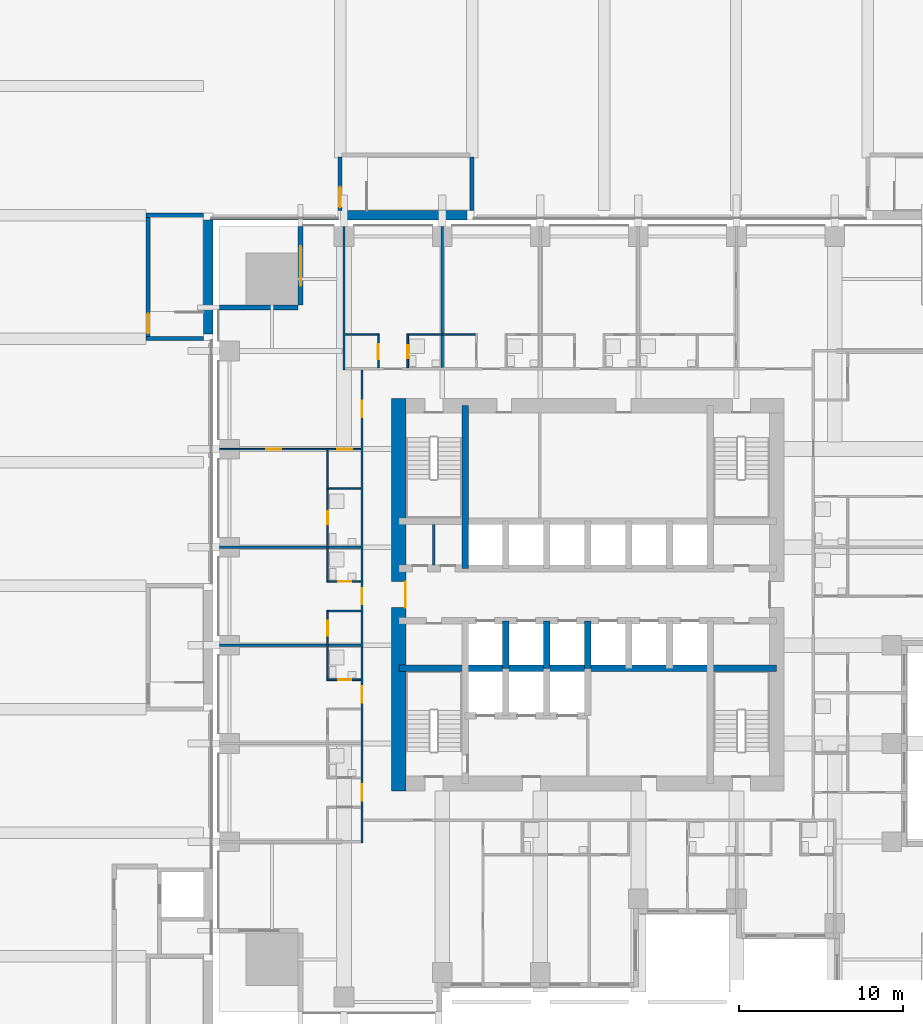
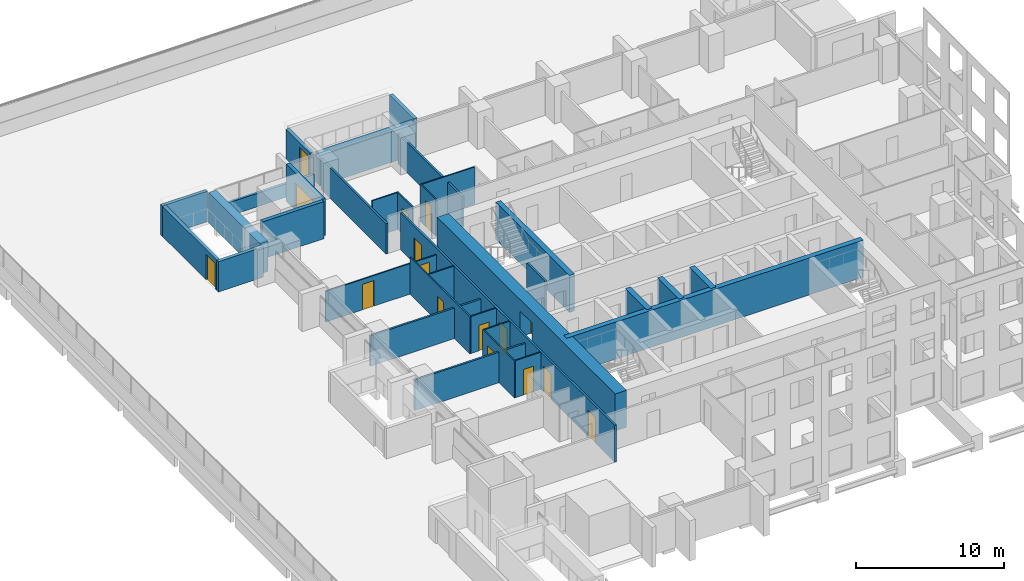
# One storey, part 8 of 15: 33 walls, 15 doors, 1 window, 16 openings.
"""IFC4 building model written with IfcOpenShell, lengths in metres."""

from ifc_helpers import new_model, si_unit, direction, frame, frame_2d, origin, place, context, subcontext, project, spatial, rectangle, extrude, material, layer, layer_set, type_object, element, fill, save


model = new_model("IFC4")

# Units and contexts
model_context = context("Model", 3, precision=1e-05, world=origin(), true_north=direction((0.0, 1.0)))
body_context = subcontext(model_context, "Body", "Model", "MODEL_VIEW")
ifc_project = project(units=[si_unit("LENGTHUNIT", "METRE"), si_unit("AREAUNIT", "SQUARE_METRE"), si_unit("VOLUMEUNIT", "CUBIC_METRE"), si_unit("PLANEANGLEUNIT", "RADIAN"), si_unit("MASSUNIT", "GRAM", prefix="KILO")], contexts=[model_context])

# Site, building, storey
site_placement = place(None, origin())
site = spatial("IfcSite", under=ifc_project, at=site_placement, CompositionType="ELEMENT")
building_placement = place(site_placement, origin())
building = spatial("IfcBuilding", under=site, at=building_placement, Name="Amberfall Residences", CompositionType="ELEMENT")
storey_placement = place(building_placement, frame((0.0, 0.0, 23.5)))
storey = spatial("IfcBuildingStorey", under=building, at=storey_placement, Name="L05", CompositionType="ELEMENT", Elevation=23.5)

# Wall, opening, window
ifc_material_1 = material(Name="Pale stone cladding on insulated backing", Category="masonry")
ifc_layer_1 = layer(ifc_material_1, 0.300048828125)
ifc_layer_set_1 = layer_set([ifc_layer_1], Name="Bronze clad wall 300")
wall_type_1 = type_object("IfcWallType", Name="Bronze clad wall 300", PredefinedType="SOLIDWALL", material=ifc_layer_set_1)
wall_1_placement = place(storey_placement, frame((56.949951171875, 68.0, 0.0), z_axis=(0.0, 0.0, 1.0), x_axis=(0.0, -1.0, 0.0)))
wall_1 = element("IfcWall", 1, at=wall_1_placement, inside=storey, type_object=wall_type_1, Name="External wall L05 NW", PredefinedType="SOLIDWALL", context=body_context, shape_type="SweptSolid", body=[
    extrude(rectangle(XDim=4.800048828125, YDim=0.300048828125, at=frame_2d((2.39990234375, 0.0))), origin(), (0.0, 0.0, 1.0), 3.050048828125),
])
opening_1_placement = place(wall_1_placement, frame((1.199951171875, 0.0, 0.14990234375)))
opening_1 = element("IfcOpeningElement", 2, at=opening_1_placement, cuts=wall_1, Name="Opening WN5", PredefinedType="OPENING", context=body_context, shape_type="SweptSolid", body=[
    extrude(rectangle(XDim=2.39990234375, YDim=2.10009765625, at=frame_2d((1.199951171875, 1.050048828125))), frame((0.0, 0.159912109375, 0.0), z_axis=(0.0, -1.0, 0.0), x_axis=(1.0, 0.0, 0.0)), (0.0, 0.0, 1.0), 0.320068359375),
])
ifc_material_2 = material(Name="Bronze aluminium framed glazing", Category="aluminium")
window_type = type_object("IfcWindowType", Name="Glazed opening 2400 x 2100 bronze", PartitioningType="DOUBLE_PANEL_VERTICAL", PredefinedType="WINDOW", material=ifc_material_2)
window_placement = place(opening_1_placement, origin())
window = element("IfcWindow", 3, at=window_placement, inside=storey, type_object=window_type, Name="Window L05 NW", OverallHeight=2.10009765625, OverallWidth=2.39990234375, PartitioningType="DOUBLE_PANEL_VERTICAL", PredefinedType="WINDOW", context=body_context, shape_type="SweptSolid", body=[
    extrude(rectangle(XDim=2.39990234375, YDim=2.10009765625, at=frame_2d((1.199951171875, 1.050048828125))), frame((0.0, 0.030029296875, 0.0), z_axis=(0.0, -1.0, 0.0), x_axis=(1.0, 0.0, 0.0)), (0.0, 0.0, 1.0), 0.06005859375),
])
fill(opening_1, window)

# Walls
wall_2_placement = place(storey_placement, frame((56.800048828125, 63.050048828125, 0.0), z_axis=(0.0, 0.0, 1.0), x_axis=(-1.0, 0.0, 0.0)))
element("IfcWall", 4, at=wall_2_placement, inside=storey, type_object=wall_type_1, Name="External wall L05 NW", PredefinedType="SOLIDWALL", context=body_context, shape_type="SweptSolid", body=[
    extrude(rectangle(XDim=4.800048828125, YDim=0.300048828125, at=frame_2d((2.39990234375, 0.0))), origin(), (0.0, 0.0, 1.0), 3.050048828125),
])
ifc_material_3 = material(Name="Concrete C80", Category="concrete")
ifc_layer_2 = layer(ifc_material_3, 0.39990234375)
ifc_layer_set_2 = layer_set([ifc_layer_2], Name="Core wall 400 C80")
wall_type_2 = type_object("IfcWallType", Name="Core wall 400 C80", PredefinedType="SHEAR", material=ifc_layer_set_2)
wall_3_placement = place(storey_placement, frame((62.949951171875, 41.0, 0.0), z_axis=(0.0, 0.0, 1.0), x_axis=(1.0, 0.0, 0.0)))
element("IfcWall", 5, at=wall_3_placement, inside=storey, type_object=wall_type_2, Name="Core wall RW2 L05 H75", PredefinedType="SHEAR", context=body_context, shape_type="SweptSolid", body=[
    extrude(rectangle(XDim=23.10009765625, YDim=0.39990234375, at=frame_2d((11.550048828125, 0.0))), origin(), (0.0, 0.0, 1.0), 3.050048828125),
])
wall_4_placement = place(storey_placement, frame((67.0, 47.10009765625, 0.0), z_axis=(0.0, 0.0, 1.0), x_axis=(0.0, 1.0, 0.0)))
element("IfcWall", 6, at=wall_4_placement, inside=storey, type_object=wall_type_2, Name="Core wall RW2 L05 V45N", PredefinedType="SHEAR", context=body_context, shape_type="SweptSolid", body=[
    extrude(rectangle(XDim=9.949951171875, YDim=0.39990234375, at=frame_2d((4.97509765625, 0.0))), origin(), (0.0, 0.0, 1.0), 3.050048828125),
])
for number, where, z_axis, x_axis, name in (
    (7, (69.5, 41.0, 0.0), (0.0, 0.0, 1.0), (0.0, 1.0, 0.0), "Core wall RW2 L05 LPD1"),
    (8, (72.0, 41.0, 0.0), (0.0, 0.0, 1.0), (0.0, 1.0, 0.0), "Core wall RW2 L05 LPD2"),
    (9, (74.5, 41.0, 0.0), (0.0, 0.0, 1.0), (0.0, 1.0, 0.0), "Core wall RW2 L05 LPD3"),
):
    element("IfcWall", number, at=place(storey_placement, frame(where, z_axis=z_axis, x_axis=x_axis)), inside=storey, type_object=wall_type_2, Name=name, PredefinedType="SHEAR", context=body_context, shape_type="SweptSolid", body=[
        extrude(rectangle(XDim=2.89990234375, YDim=0.39990234375, at=frame_2d((1.449951171875, 0.0))), origin(), (0.0, 0.0, 1.0), 3.050048828125),
    ])

# Wall, opening, door
ifc_layer_3 = layer(ifc_material_3, 0.89990234375)
ifc_layer_set_3 = layer_set([ifc_layer_3], Name="Core wall 900 C80")
wall_type_3 = type_object("IfcWallType", Name="Core wall 900 C80", PredefinedType="SHEAR", material=ifc_layer_set_3)
wall_5_placement = place(storey_placement, frame((62.949951171875, 33.5, 0.0), z_axis=(0.0, 0.0, 1.0), x_axis=(0.0, 1.0, 0.0)))
wall_5 = element("IfcWall", 10, at=wall_5_placement, inside=storey, type_object=wall_type_3, Name="Core wall RW1 L05 OW", PredefinedType="SHEAR", context=body_context, shape_type="SweptSolid", body=[
    extrude(rectangle(XDim=24.0, YDim=0.89990234375, at=frame_2d((12.0, 0.0))), origin(), (0.0, 0.0, 1.0), 3.050048828125),
])
opening_2_placement = place(wall_5_placement, frame((11.199951171875, 0.0, 0.0)))
opening_2 = element("IfcOpeningElement", 11, at=opening_2_placement, cuts=wall_5, Name="Opening LB1", PredefinedType="OPENING", context=body_context, shape_type="SweptSolid", body=[
    extrude(rectangle(XDim=1.60009765625, YDim=2.10009765625, at=frame_2d((0.800048828125, 1.050048828125))), frame((0.0, 0.4599609375, 0.0), z_axis=(0.0, -1.0, 0.0), x_axis=(1.0, 0.0, 0.0)), (0.0, 0.0, 1.0), 0.919921875),
])
ifc_material_4 = material(Name="Steel fire door set", Category="steel")
door_type_1 = type_object("IfcDoorType", Name="Lift lobby double door 1600 x 2100", OperationType="DOUBLE_DOOR_SINGLE_SWING", PredefinedType="DOOR", material=ifc_material_4)
door_1_placement = place(opening_2_placement, origin())
door_1 = element("IfcDoor", 12, at=door_1_placement, inside=storey, type_object=door_type_1, Name="LB1 L05", OperationType="DOUBLE_DOOR_SINGLE_SWING", OverallHeight=2.10009765625, OverallWidth=1.60009765625, PredefinedType="DOOR", context=body_context, shape_type="SweptSolid", body=[
    extrude(rectangle(XDim=1.60009765625, YDim=2.10009765625, at=frame_2d((0.800048828125, 1.050048828125))), frame((0.0, -0.3876953125, 0.0), z_axis=(0.0, -1.0, 0.0), x_axis=(1.0, 0.0, 0.0)), (0.0, 0.0, 1.0), 0.050048828125),
])
fill(opening_2, door_1)

ifc_material_5 = material(Name="Gypsum board on metal stud")
ifc_layer_4 = layer(ifc_material_5, 0.10009765625)
ifc_layer_set_4 = layer_set([ifc_layer_4], Name="Flat partition 100")
wall_type_4 = type_object("IfcWallType", Name="Flat partition 100", PredefinedType="PARTITIONING", material=ifc_layer_set_4)
wall_6_placement = place(storey_placement, frame((58.60009765625, 44.550048828125, 0.0), z_axis=(0.0, 0.0, 1.0), x_axis=(0.0, -1.0, 0.0)))
wall_6 = element("IfcWall", 13, at=wall_6_placement, inside=storey, type_object=wall_type_4, Name="Partition 003", PredefinedType="PARTITIONING", context=body_context, shape_type="SweptSolid", body=[
    extrude(rectangle(XDim=4.300048828125, YDim=0.10009765625, at=frame_2d((2.14990234375, 0.0))), origin(), (0.0, 0.0, 1.0), 3.050048828125),
])
opening_3_placement = place(wall_6_placement, frame((0.64990234375, 0.0, 0.0)))
opening_3 = element("IfcOpeningElement", 14, at=opening_3_placement, cuts=wall_6, Name="Opening D41", PredefinedType="OPENING", context=body_context, shape_type="SweptSolid", body=[
    extrude(rectangle(XDim=0.89990234375, YDim=2.10009765625, at=frame_2d((0.449951171875, 1.050048828125))), frame((0.0, 0.06005859375, 0.0), z_axis=(0.0, -1.0, 0.0), x_axis=(1.0, 0.0, 0.0)), (0.0, 0.0, 1.0), 0.1201171875),
])
ifc_material_6 = material(Name="Timber", Category="wood")
door_type_2 = type_object("IfcDoorType", Name="Internal door 900 x 2100", OperationType="SINGLE_SWING_LEFT", PredefinedType="DOOR", material=ifc_material_6)
door_2_placement = place(opening_3_placement, origin())
door_2 = element("IfcDoor", 15, at=door_2_placement, inside=storey, type_object=door_type_2, Name="Door 0513 kitchen", OperationType="SINGLE_SWING_LEFT", OverallHeight=2.10009765625, OverallWidth=0.89990234375, PredefinedType="DOOR", context=body_context, shape_type="SweptSolid", body=[
    extrude(rectangle(XDim=0.89990234375, YDim=2.10009765625, at=frame_2d((0.449951171875, 1.050048828125))), frame((0.0, 0.02490234375, 0.0), z_axis=(0.0, -1.0, 0.0), x_axis=(1.0, 0.0, 0.0)), (0.0, 0.0, 1.0), 0.050048828125),
])
fill(opening_3, door_2)

wall_7_placement = place(storey_placement, frame((58.60009765625, 54.35009765625, 0.0), z_axis=(0.0, 0.0, 1.0), x_axis=(0.0, -1.0, 0.0)))
wall_7 = element("IfcWall", 16, at=wall_7_placement, inside=storey, type_object=wall_type_4, Name="Partition 004", PredefinedType="PARTITIONING", context=body_context, shape_type="SweptSolid", body=[
    extrude(rectangle(XDim=8.10009765625, YDim=0.10009765625, at=frame_2d((4.050048828125, 0.0))), origin(), (0.0, 0.0, 1.0), 3.050048828125),
])
opening_4_placement = place(wall_7_placement, frame((3.75, 0.0, 0.0)))
opening_4 = element("IfcOpeningElement", 17, at=opening_4_placement, cuts=wall_7, Name="Opening D42", PredefinedType="OPENING", context=body_context, shape_type="SweptSolid", body=[
    extrude(rectangle(XDim=0.800048828125, YDim=2.10009765625, at=frame_2d((0.39990234375, 1.050048828125))), frame((0.0, 0.06005859375, 0.0), z_axis=(0.0, -1.0, 0.0), x_axis=(1.0, 0.0, 0.0)), (0.0, 0.0, 1.0), 0.1201171875),
])
door_type_3 = type_object("IfcDoorType", Name="Bathroom door 800 x 2100", OperationType="SINGLE_SWING_LEFT", PredefinedType="DOOR", material=ifc_material_6)
door_3_placement = place(opening_4_placement, origin())
door_3 = element("IfcDoor", 18, at=door_3_placement, inside=storey, type_object=door_type_3, Name="Door 0514 bath1", OperationType="SINGLE_SWING_LEFT", OverallHeight=2.10009765625, OverallWidth=0.800048828125, PredefinedType="DOOR", context=body_context, shape_type="SweptSolid", body=[
    extrude(rectangle(XDim=0.800048828125, YDim=2.10009765625, at=frame_2d((0.39990234375, 1.050048828125))), frame((0.0, 0.02490234375, 0.0), z_axis=(0.0, -1.0, 0.0), x_axis=(1.0, 0.0, 0.0)), (0.0, 0.0, 1.0), 0.050048828125),
])
fill(opening_4, door_3)

wall_8_placement = place(storey_placement, frame((61.699951171875, 59.375, 0.0), z_axis=(0.0, 0.0, 1.0), x_axis=(0.0, 1.0, 0.0)))
wall_8 = element("IfcWall", 19, at=wall_8_placement, inside=storey, type_object=wall_type_4, Name="Partition 005", PredefinedType="PARTITIONING", context=body_context, shape_type="SweptSolid", body=[
    extrude(rectangle(XDim=2.074951171875, YDim=0.10009765625, at=frame_2d((1.03759765625, 0.0))), origin(), (0.0, 0.0, 1.0), 3.050048828125),
])
opening_5_placement = place(wall_8_placement, frame((0.52490234375, 0.0, 0.0)))
opening_5 = element("IfcOpeningElement", 20, at=opening_5_placement, cuts=wall_8, Name="Opening D41", PredefinedType="OPENING", context=body_context, shape_type="SweptSolid", body=[
    extrude(rectangle(XDim=0.89990234375, YDim=2.10009765625, at=frame_2d((0.449951171875, 1.050048828125))), frame((0.0, 0.06005859375, 0.0), z_axis=(0.0, -1.0, 0.0), x_axis=(1.0, 0.0, 0.0)), (0.0, 0.0, 1.0), 0.1201171875),
])
door_4_placement = place(opening_5_placement, origin())
door_4 = element("IfcDoor", 21, at=door_4_placement, inside=storey, type_object=door_type_2, Name="Door 0507 kitchen", OperationType="SINGLE_SWING_LEFT", OverallHeight=2.10009765625, OverallWidth=0.89990234375, PredefinedType="DOOR", context=body_context, shape_type="SweptSolid", body=[
    extrude(rectangle(XDim=0.89990234375, YDim=2.10009765625, at=frame_2d((0.449951171875, 1.050048828125))), frame((0.0, 0.02490234375, 0.0), z_axis=(0.0, -1.0, 0.0), x_axis=(1.0, 0.0, 0.0)), (0.0, 0.0, 1.0), 0.050048828125),
])
fill(opening_5, door_4)

wall_9_placement = place(storey_placement, frame((63.5, 61.449951171875, 0.0), z_axis=(0.0, 0.0, 1.0), x_axis=(0.0, -1.0, 0.0)))
wall_9 = element("IfcWall", 22, at=wall_9_placement, inside=storey, type_object=wall_type_4, Name="Partition 006", PredefinedType="PARTITIONING", context=body_context, shape_type="SweptSolid", body=[
    extrude(rectangle(XDim=2.074951171875, YDim=0.10009765625, at=frame_2d((1.03759765625, 0.0))), origin(), (0.0, 0.0, 1.0), 3.050048828125),
])
opening_6_placement = place(wall_9_placement, frame((0.699951171875, 0.0, 0.0)))
opening_6 = element("IfcOpeningElement", 23, at=opening_6_placement, cuts=wall_9, Name="Opening D42", PredefinedType="OPENING", context=body_context, shape_type="SweptSolid", body=[
    extrude(rectangle(XDim=0.800048828125, YDim=2.10009765625, at=frame_2d((0.39990234375, 1.050048828125))), frame((0.0, 0.06005859375, 0.0), z_axis=(0.0, -1.0, 0.0), x_axis=(1.0, 0.0, 0.0)), (0.0, 0.0, 1.0), 0.1201171875),
])
door_5_placement = place(opening_6_placement, origin())
door_5 = element("IfcDoor", 24, at=door_5_placement, inside=storey, type_object=door_type_3, Name="Door 0507 bath1", OperationType="SINGLE_SWING_LEFT", OverallHeight=2.10009765625, OverallWidth=0.800048828125, PredefinedType="DOOR", context=body_context, shape_type="SweptSolid", body=[
    extrude(rectangle(XDim=0.800048828125, YDim=2.10009765625, at=frame_2d((0.39990234375, 1.050048828125))), frame((0.0, 0.02490234375, 0.0), z_axis=(0.0, -1.0, 0.0), x_axis=(1.0, 0.0, 0.0)), (0.0, 0.0, 1.0), 0.050048828125),
])
fill(opening_6, door_5)

# Walls
wall_10_placement = place(storey_placement, frame((59.675048828125, 61.39990234375, 0.0), z_axis=(0.0, 0.0, 1.0), x_axis=(1.0, 0.0, 0.0)))
element("IfcWall", 25, at=wall_10_placement, inside=storey, type_object=wall_type_4, Name="Partition 023", PredefinedType="PARTITIONING", context=body_context, shape_type="SweptSolid", body=[
    extrude(rectangle(XDim=1.974853515625, YDim=0.10009765625, at=frame_2d((0.9873046875, 0.0))), origin(), (0.0, 0.0, 1.0), 3.050048828125),
])
wall_11_placement = place(storey_placement, frame((63.550048828125, 61.39990234375, 0.0), z_axis=(0.0, 0.0, 1.0), x_axis=(1.0, 0.0, 0.0)))
element("IfcWall", 26, at=wall_11_placement, inside=storey, type_object=wall_type_4, Name="Partition 024", PredefinedType="PARTITIONING", context=body_context, shape_type="SweptSolid", body=[
    extrude(rectangle(XDim=4.099853515625, YDim=0.10009765625, at=frame_2d((2.0498046875, 0.0))), origin(), (0.0, 0.0, 1.0), 3.050048828125),
])

# Wall, openings, doors
wall_12_placement = place(storey_placement, frame((60.625, 54.39990234375, 0.0), z_axis=(0.0, 0.0, 1.0), x_axis=(-1.0, 0.0, 0.0)))
wall_12 = element("IfcWall", 27, at=wall_12_placement, inside=storey, type_object=wall_type_4, Name="Partition 028", PredefinedType="PARTITIONING", context=body_context, shape_type="SweptSolid", body=[
    extrude(rectangle(XDim=8.625, YDim=0.10009765625, at=frame_2d((4.3125, 0.0))), origin(), (0.0, 0.0, 1.0), 2.51611328125),
])
opening_7_placement = place(wall_12_placement, frame((0.52490234375, 0.0, 0.0)))
opening_7 = element("IfcOpeningElement", 28, at=opening_7_placement, cuts=wall_12, Name="Opening D41", PredefinedType="OPENING", context=body_context, shape_type="SweptSolid", body=[
    extrude(rectangle(XDim=0.89990234375, YDim=2.10009765625, at=frame_2d((0.449951171875, 1.050048828125))), frame((0.0, 0.06005859375, 0.0), z_axis=(0.0, -1.0, 0.0), x_axis=(1.0, 0.0, 0.0)), (0.0, 0.0, 1.0), 0.1201171875),
])
opening_8_placement = place(wall_12_placement, frame((4.875, 0.0, 0.0)))
opening_8 = element("IfcOpeningElement", 29, at=opening_8_placement, cuts=wall_12, Name="Opening D41", PredefinedType="OPENING", context=body_context, shape_type="SweptSolid", body=[
    extrude(rectangle(XDim=0.89990234375, YDim=2.10009765625, at=frame_2d((0.449951171875, 1.050048828125))), frame((0.0, 0.06005859375, 0.0), z_axis=(0.0, -1.0, 0.0), x_axis=(1.0, 0.0, 0.0)), (0.0, 0.0, 1.0), 0.1201171875),
])
door_6_placement = place(opening_7_placement, origin())
door_6 = element("IfcDoor", 30, at=door_6_placement, inside=storey, type_object=door_type_2, Name="Door 0514 kitchen", OperationType="SINGLE_SWING_LEFT", OverallHeight=2.10009765625, OverallWidth=0.89990234375, PredefinedType="DOOR", context=body_context, shape_type="SweptSolid", body=[
    extrude(rectangle(XDim=0.89990234375, YDim=2.10009765625, at=frame_2d((0.449951171875, 1.050048828125))), frame((0.0, 0.02490234375, 0.0), z_axis=(0.0, -1.0, 0.0), x_axis=(1.0, 0.0, 0.0)), (0.0, 0.0, 1.0), 0.050048828125),
])
fill(opening_7, door_6)
door_7_placement = place(opening_8_placement, origin())
door_7 = element("IfcDoor", 31, at=door_7_placement, inside=storey, type_object=door_type_2, Name="Door 0514 bedroom1", OperationType="SINGLE_SWING_LEFT", OverallHeight=2.10009765625, OverallWidth=0.89990234375, PredefinedType="DOOR", context=body_context, shape_type="SweptSolid", body=[
    extrude(rectangle(XDim=0.89990234375, YDim=2.10009765625, at=frame_2d((0.449951171875, 1.050048828125))), frame((0.0, 0.02490234375, 0.0), z_axis=(0.0, -1.0, 0.0), x_axis=(1.0, 0.0, 0.0)), (0.0, 0.0, 1.0), 0.050048828125),
])
fill(opening_8, door_7)

# Wall
wall_13_placement = place(storey_placement, frame((58.64990234375, 52.0, 0.0), z_axis=(0.0, 0.0, 1.0), x_axis=(1.0, 0.0, 0.0)))
element("IfcWall", 32, at=wall_13_placement, inside=storey, type_object=wall_type_4, Name="Partition 029", PredefinedType="PARTITIONING", context=body_context, shape_type="SweptSolid", body=[
    extrude(rectangle(XDim=1.97509765625, YDim=0.10009765625, at=frame_2d((0.987548828125, 0.0))), origin(), (0.0, 0.0, 1.0), 3.050048828125),
])

# Wall, opening, door
wall_14_placement = place(storey_placement, frame((58.64990234375, 46.300048828125, 0.0), z_axis=(0.0, 0.0, 1.0), x_axis=(1.0, 0.0, 0.0)))
wall_14 = element("IfcWall", 33, at=wall_14_placement, inside=storey, type_object=wall_type_4, Name="Partition 031", PredefinedType="PARTITIONING", context=body_context, shape_type="SweptSolid", body=[
    extrude(rectangle(XDim=1.97509765625, YDim=0.10009765625, at=frame_2d((0.987548828125, 0.0))), origin(), (0.0, 0.0, 1.0), 3.050048828125),
])
opening_9_placement = place(wall_14_placement, frame((0.60009765625, 0.0, 0.0)))
opening_9 = element("IfcOpeningElement", 34, at=opening_9_placement, cuts=wall_14, Name="Opening D42", PredefinedType="OPENING", context=body_context, shape_type="SweptSolid", body=[
    extrude(rectangle(XDim=0.800048828125, YDim=2.10009765625, at=frame_2d((0.39990234375, 1.050048828125))), frame((0.0, 0.06005859375, 0.0), z_axis=(0.0, -1.0, 0.0), x_axis=(1.0, 0.0, 0.0)), (0.0, 0.0, 1.0), 0.1201171875),
])
door_8_placement = place(opening_9_placement, origin())
door_8 = element("IfcDoor", 35, at=door_8_placement, inside=storey, type_object=door_type_3, Name="Door 0513 bath1", OperationType="SINGLE_SWING_LEFT", OverallHeight=2.10009765625, OverallWidth=0.800048828125, PredefinedType="DOOR", context=body_context, shape_type="SweptSolid", body=[
    extrude(rectangle(XDim=0.800048828125, YDim=2.10009765625, at=frame_2d((0.39990234375, 1.050048828125))), frame((0.0, 0.02490234375, 0.0), z_axis=(0.0, -1.0, 0.0), x_axis=(1.0, 0.0, 0.0)), (0.0, 0.0, 1.0), 0.050048828125),
])
fill(opening_9, door_8)

# Wall
wall_15_placement = place(storey_placement, frame((58.64990234375, 44.5, 0.0), z_axis=(0.0, 0.0, 1.0), x_axis=(1.0, 0.0, 0.0)))
element("IfcWall", 36, at=wall_15_placement, inside=storey, type_object=wall_type_4, Name="Partition 033", PredefinedType="PARTITIONING", context=body_context, shape_type="SweptSolid", body=[
    extrude(rectangle(XDim=1.97509765625, YDim=0.10009765625, at=frame_2d((0.987548828125, 0.0))), origin(), (0.0, 0.0, 1.0), 3.050048828125),
])

# Wall, opening, door
wall_16_placement = place(storey_placement, frame((58.64990234375, 40.300048828125, 0.0), z_axis=(0.0, 0.0, 1.0), x_axis=(1.0, 0.0, 0.0)))
wall_16 = element("IfcWall", 37, at=wall_16_placement, inside=storey, type_object=wall_type_4, Name="Partition 035", PredefinedType="PARTITIONING", context=body_context, shape_type="SweptSolid", body=[
    extrude(rectangle(XDim=1.97509765625, YDim=0.10009765625, at=frame_2d((0.987548828125, 0.0))), origin(), (0.0, 0.0, 1.0), 3.050048828125),
])
opening_10_placement = place(wall_16_placement, frame((0.60009765625, 0.0, 0.0)))
opening_10 = element("IfcOpeningElement", 38, at=opening_10_placement, cuts=wall_16, Name="Opening D42", PredefinedType="OPENING", context=body_context, shape_type="SweptSolid", body=[
    extrude(rectangle(XDim=0.800048828125, YDim=2.10009765625, at=frame_2d((0.39990234375, 1.050048828125))), frame((0.0, 0.06005859375, 0.0), z_axis=(0.0, -1.0, 0.0), x_axis=(1.0, 0.0, 0.0)), (0.0, 0.0, 1.0), 0.1201171875),
])
door_9_placement = place(opening_10_placement, origin())
door_9 = element("IfcDoor", 39, at=door_9_placement, inside=storey, type_object=door_type_3, Name="Door 0512 bath1", OperationType="SINGLE_SWING_LEFT", OverallHeight=2.10009765625, OverallWidth=0.800048828125, PredefinedType="DOOR", context=body_context, shape_type="SweptSolid", body=[
    extrude(rectangle(XDim=0.800048828125, YDim=2.10009765625, at=frame_2d((0.39990234375, 1.050048828125))), frame((0.0, 0.02490234375, 0.0), z_axis=(0.0, -1.0, 0.0), x_axis=(1.0, 0.0, 0.0)), (0.0, 0.0, 1.0), 0.050048828125),
])
fill(opening_10, door_9)

# Wall
ifc_material_7 = material(Name="Blockwork, plastered", Category="masonry")
ifc_layer_5 = layer(ifc_material_7, 0.14990234375)
ifc_layer_set_5 = layer_set([ifc_layer_5], Name="Flat separating wall 150")
wall_type_5 = type_object("IfcWallType", Name="Flat separating wall 150", PredefinedType="PARTITIONING", material=ifc_layer_set_5)
wall_17_placement = place(storey_placement, frame((59.60009765625, 59.22509765625, 0.0), z_axis=(0.0, 0.0, 1.0), x_axis=(0.0, 1.0, 0.0)))
element("IfcWall", 40, at=wall_17_placement, inside=storey, type_object=wall_type_5, Name="Separating wall 044", PredefinedType="PARTITIONING", context=body_context, shape_type="SweptSolid", body=[
    extrude(rectangle(XDim=8.77490234375, YDim=0.14990234375, at=frame_2d((4.387451171875, 0.0))), origin(), (0.0, 0.0, 1.0), 2.510009765625),
])

# Wall, openings, doors
wall_18_placement = place(storey_placement, frame((60.699951171875, 30.324951171875, 0.0), z_axis=(0.0, 0.0, 1.0), x_axis=(0.0, 1.0, 0.0)))
wall_18 = element("IfcWall", 41, at=wall_18_placement, inside=storey, type_object=wall_type_5, Name="Separating wall 045", PredefinedType="PARTITIONING", context=body_context, shape_type="SweptSolid", body=[
    extrude(rectangle(XDim=28.900146484375, YDim=0.14990234375, at=frame_2d((14.4501953125, 0.0))), origin(), (0.0, 0.0, 1.0), 3.050048828125),
])
opening_11_placement = place(wall_18_placement, frame((2.574951171875, 0.0, 0.0)))
opening_11 = element("IfcOpeningElement", 42, at=opening_11_placement, cuts=wall_18, Name="Opening D40", PredefinedType="OPENING", context=body_context, shape_type="SweptSolid", body=[
    extrude(rectangle(XDim=1.0, YDim=2.10009765625, at=frame_2d((0.5, 1.050048828125))), frame((0.0, 0.0849609375, 0.0), z_axis=(0.0, -1.0, 0.0), x_axis=(1.0, 0.0, 0.0)), (0.0, 0.0, 1.0), 0.169921875),
])
opening_12_placement = place(wall_18_placement, frame((8.574951171875, 0.0, 0.0)))
opening_12 = element("IfcOpeningElement", 43, at=opening_12_placement, cuts=wall_18, Name="Opening D40", PredefinedType="OPENING", context=body_context, shape_type="SweptSolid", body=[
    extrude(rectangle(XDim=1.0, YDim=2.10009765625, at=frame_2d((0.5, 1.050048828125))), frame((0.0, 0.0849609375, 0.0), z_axis=(0.0, -1.0, 0.0), x_axis=(1.0, 0.0, 0.0)), (0.0, 0.0, 1.0), 0.169921875),
])
opening_13_placement = place(wall_18_placement, frame((14.574951171875, 0.0, 0.0)))
opening_13 = element("IfcOpeningElement", 44, at=opening_13_placement, cuts=wall_18, Name="Opening D40", PredefinedType="OPENING", context=body_context, shape_type="SweptSolid", body=[
    extrude(rectangle(XDim=1.0, YDim=2.10009765625, at=frame_2d((0.5, 1.050048828125))), frame((0.0, 0.0849609375, 0.0), z_axis=(0.0, -1.0, 0.0), x_axis=(1.0, 0.0, 0.0)), (0.0, 0.0, 1.0), 0.169921875),
])
opening_14_placement = place(wall_18_placement, frame((26.02490234375, 0.0, 0.0)))
opening_14 = element("IfcOpeningElement", 45, at=opening_14_placement, cuts=wall_18, Name="Opening D40", PredefinedType="OPENING", context=body_context, shape_type="SweptSolid", body=[
    extrude(rectangle(XDim=1.0, YDim=2.10009765625, at=frame_2d((0.5, 1.050048828125))), frame((0.0, 0.0849609375, 0.0), z_axis=(0.0, -1.0, 0.0), x_axis=(1.0, 0.0, 0.0)), (0.0, 0.0, 1.0), 0.169921875),
])
ifc_material_8 = material(Name="Timber, fire-rated", Category="wood")
door_type_4 = type_object("IfcDoorType", Name="Flat entrance door FD60 1000 x 2100", OperationType="SINGLE_SWING_LEFT", PredefinedType="DOOR", material=ifc_material_8)
door_10_placement = place(opening_11_placement, origin())
door_10 = element("IfcDoor", 46, at=door_10_placement, inside=storey, type_object=door_type_4, Name="Door 0511 entrance", OperationType="SINGLE_SWING_LEFT", OverallHeight=2.10009765625, OverallWidth=1.0, PredefinedType="DOOR", context=body_context, shape_type="SweptSolid", body=[
    extrude(rectangle(XDim=1.0, YDim=2.10009765625, at=frame_2d((0.5, 1.050048828125))), frame((0.0, 0.02490234375, 0.0), z_axis=(0.0, -1.0, 0.0), x_axis=(1.0, 0.0, 0.0)), (0.0, 0.0, 1.0), 0.050048828125),
])
fill(opening_11, door_10)
door_11_placement = place(opening_12_placement, origin())
door_11 = element("IfcDoor", 47, at=door_11_placement, inside=storey, type_object=door_type_4, Name="Door 0512 entrance", OperationType="SINGLE_SWING_LEFT", OverallHeight=2.10009765625, OverallWidth=1.0, PredefinedType="DOOR", context=body_context, shape_type="SweptSolid", body=[
    extrude(rectangle(XDim=1.0, YDim=2.10009765625, at=frame_2d((0.5, 1.050048828125))), frame((0.0, 0.02490234375, 0.0), z_axis=(0.0, -1.0, 0.0), x_axis=(1.0, 0.0, 0.0)), (0.0, 0.0, 1.0), 0.050048828125),
])
fill(opening_12, door_11)
door_12_placement = place(opening_13_placement, origin())
door_12 = element("IfcDoor", 48, at=door_12_placement, inside=storey, type_object=door_type_4, Name="Door 0513 entrance", OperationType="SINGLE_SWING_LEFT", OverallHeight=2.10009765625, OverallWidth=1.0, PredefinedType="DOOR", context=body_context, shape_type="SweptSolid", body=[
    extrude(rectangle(XDim=1.0, YDim=2.10009765625, at=frame_2d((0.5, 1.050048828125))), frame((0.0, 0.02490234375, 0.0), z_axis=(0.0, -1.0, 0.0), x_axis=(1.0, 0.0, 0.0)), (0.0, 0.0, 1.0), 0.050048828125),
])
fill(opening_13, door_12)
door_13_placement = place(opening_14_placement, origin())
door_13 = element("IfcDoor", 49, at=door_13_placement, inside=storey, type_object=door_type_4, Name="Door 0514 entrance", OperationType="SINGLE_SWING_LEFT", OverallHeight=2.10009765625, OverallWidth=1.0, PredefinedType="DOOR", context=body_context, shape_type="SweptSolid", body=[
    extrude(rectangle(XDim=1.0, YDim=2.10009765625, at=frame_2d((0.5, 1.050048828125))), frame((0.0, 0.02490234375, 0.0), z_axis=(0.0, -1.0, 0.0), x_axis=(1.0, 0.0, 0.0)), (0.0, 0.0, 1.0), 0.050048828125),
])
fill(opening_14, door_13)

# Walls
for number, where, z_axis, x_axis, name in (
    (50, (65.60009765625, 59.375, 0.0), (0.0, 0.0, 1.0), (0.0, 1.0, 0.0), "Separating wall 046"),
    (51, (52.0, 48.39990234375, 0.0), (0.0, 0.0, 1.0), (1.0, 0.0, 0.0), "Separating wall 055"),
    (52, (52.0, 42.39990234375, 0.0), (0.0, 0.0, 1.0), (1.0, 0.0, 0.0), "Separating wall 057"),
):
    element("IfcWall", number, at=place(storey_placement, frame(where, z_axis=z_axis, x_axis=x_axis)), inside=storey, type_object=wall_type_5, Name=name, PredefinedType="PARTITIONING", context=body_context, shape_type="SweptSolid", body=[
        extrude(rectangle(XDim=8.625, YDim=0.14990234375, at=frame_2d((4.3125, 0.0))), origin(), (0.0, 0.0, 1.0), 2.51611328125),
    ])
ifc_material_9 = material(Name="Concrete blockwork", Category="masonry")
ifc_layer_6 = layer(ifc_material_9, 0.14990234375)
ifc_layer_set_6 = layer_set([ifc_layer_6], Name="Riser wall 150")
wall_type_6 = type_object("IfcWallType", Name="Riser wall 150", PredefinedType="PLUMBINGWALL", material=ifc_layer_set_6)
wall_19_placement = place(storey_placement, frame((65.10009765625, 47.300048828125, 0.0), z_axis=(0.0, 0.0, 1.0), x_axis=(0.0, 1.0, 0.0)))
element("IfcWall", 53, at=wall_19_placement, inside=storey, type_object=wall_type_6, Name="L05 core wall ANW0", PredefinedType="PLUMBINGWALL", context=body_context, shape_type="SweptSolid", body=[
    extrude(rectangle(XDim=2.5, YDim=0.14990234375, at=frame_2d((1.25, 0.0))), origin(), (0.0, 0.0, 1.0), 3.050048828125),
])
ifc_material_10 = material(Name="Brick masonry", Category="masonry")
ifc_layer_7 = layer(ifc_material_10, 0.199951171875)
ifc_layer_set_7 = layer_set([ifc_layer_7], Name="School roof parapet 200")
wall_type_7 = type_object("IfcWallType", Name="School roof parapet 200", PredefinedType="PARAPET", material=ifc_layer_set_7)
wall_20_placement = place(storey_placement, frame((51.39990234375, 68.5, 0.0), z_axis=(0.0, 0.0, 1.0), x_axis=(1.0, 0.0, 0.0)))
element("IfcWall", 54, at=wall_20_placement, inside=storey, type_object=wall_type_7, Name="School roof parapet", PredefinedType="PARAPET", context=body_context, shape_type="SweptSolid", body=[
    extrude(rectangle(XDim=7.842041015625, YDim=0.199951171875, at=frame_2d((3.9208984375, 0.0))), origin(), (0.0, 0.0, 1.0), 1.10009765625),
])

# Wall, opening, door
ifc_material_11 = material(Name="Concrete C50", Category="concrete")
ifc_layer_8 = layer(ifc_material_11, 0.25)
ifc_layer_set_8 = layer_set([ifc_layer_8], Name="School stair core wall 250 C50")
wall_type_8 = type_object("IfcWallType", Name="School stair core wall 250 C50", PredefinedType="SHEAR", material=ifc_layer_set_8)
wall_21_placement = place(storey_placement, frame((47.625, 61.27490234375, 0.0), z_axis=(0.0, 0.0, 1.0), x_axis=(0.0, 1.0, 0.0)))
wall_21 = element("IfcWall", 55, at=wall_21_placement, inside=storey, type_object=wall_type_8, Name="School stair head house wall SS3W", PredefinedType="SHEAR", context=body_context, shape_type="SweptSolid", body=[
    extrude(rectangle(XDim=7.300048828125, YDim=0.25, at=frame_2d((3.64990234375, 0.0))), origin(), (0.0, 0.0, 1.0), 2.5),
])
opening_15_placement = place(wall_21_placement, frame((0.199951171875, 0.0, 0.0)))
opening_15 = element("IfcOpeningElement", 56, at=opening_15_placement, cuts=wall_21, Name="Opening SD4", PredefinedType="OPENING", context=body_context, shape_type="SweptSolid", body=[
    extrude(rectangle(XDim=1.199951171875, YDim=2.10009765625, at=frame_2d((0.60009765625, 1.050048828125))), frame((0.0, 0.135009765625, 0.0), z_axis=(0.0, -1.0, 0.0), x_axis=(1.0, 0.0, 0.0)), (0.0, 0.0, 1.0), 0.27001953125),
])
ifc_material_12 = material(Name="Steel fire door", Category="steel")
door_type_5 = type_object("IfcDoorType", Name="School stair door 1200 x 2100 FD120", OperationType="SINGLE_SWING_LEFT", PredefinedType="DOOR", material=ifc_material_12)
door_14_placement = place(opening_15_placement, origin())
door_14 = element("IfcDoor", 57, at=door_14_placement, inside=storey, type_object=door_type_5, Name="School stair head door SS3", OperationType="SINGLE_SWING_LEFT", OverallHeight=2.10009765625, OverallWidth=1.199951171875, PredefinedType="DOOR", context=body_context, shape_type="SweptSolid", body=[
    extrude(rectangle(XDim=1.199951171875, YDim=2.10009765625, at=frame_2d((0.60009765625, 1.050048828125))), frame((0.0, 0.02490234375, 0.0), z_axis=(0.0, -1.0, 0.0), x_axis=(1.0, 0.0, 0.0)), (0.0, 0.0, 1.0), 0.050048828125),
])
fill(opening_15, door_14)

# Walls
for number, where, z_axis, x_axis, name in (
    (58, (47.5, 61.14990234375, 0.0), (0.0, 0.0, 1.0), (1.0, 0.0, 0.0), "School stair head house wall SS3S"),
    (59, (47.5, 68.699951171875, 0.0), (0.0, 0.0, 1.0), (1.0, 0.0, 0.0), "School stair head house wall SS3N"),
):
    element("IfcWall", number, at=place(storey_placement, frame(where, z_axis=z_axis, x_axis=x_axis)), inside=storey, type_object=wall_type_8, Name=name, PredefinedType="SHEAR", context=body_context, shape_type="SweptSolid", body=[
        extrude(rectangle(XDim=3.5, YDim=0.25, at=frame_2d((1.75, 0.0))), origin(), (0.0, 0.0, 1.0), 2.5),
    ])

# Wall, opening, door
wall_22_placement = place(storey_placement, frame((59.366943359375, 69.0, 0.0), z_axis=(0.0, 0.0, 1.0), x_axis=(0.0, 1.0, 0.0)))
wall_22 = element("IfcWall", 60, at=wall_22_placement, inside=storey, type_object=wall_type_8, Name="School stair head house wall SS4W", PredefinedType="SHEAR", context=body_context, shape_type="SweptSolid", body=[
    extrude(rectangle(XDim=3.25, YDim=0.25, at=frame_2d((1.625, 0.0))), origin(), (0.0, 0.0, 1.0), 2.5),
])
opening_16_placement = place(wall_22_placement, frame((0.199951171875, 0.0, 0.0)))
opening_16 = element("IfcOpeningElement", 61, at=opening_16_placement, cuts=wall_22, Name="Opening SD4", PredefinedType="OPENING", context=body_context, shape_type="SweptSolid", body=[
    extrude(rectangle(XDim=1.199951171875, YDim=2.10009765625, at=frame_2d((0.60009765625, 1.050048828125))), frame((0.0, 0.135009765625, 0.0), z_axis=(0.0, -1.0, 0.0), x_axis=(1.0, 0.0, 0.0)), (0.0, 0.0, 1.0), 0.27001953125),
])
door_15_placement = place(opening_16_placement, origin())
door_15 = element("IfcDoor", 62, at=door_15_placement, inside=storey, type_object=door_type_5, Name="School stair head door SS4", OperationType="SINGLE_SWING_LEFT", OverallHeight=2.10009765625, OverallWidth=1.199951171875, PredefinedType="DOOR", context=body_context, shape_type="SweptSolid", body=[
    extrude(rectangle(XDim=1.199951171875, YDim=2.10009765625, at=frame_2d((0.60009765625, 1.050048828125))), frame((0.0, 0.02490234375, 0.0), z_axis=(0.0, -1.0, 0.0), x_axis=(1.0, 0.0, 0.0)), (0.0, 0.0, 1.0), 0.050048828125),
])
fill(opening_16, door_15)

# Walls
wall_23_placement = place(storey_placement, frame((67.43310546875, 69.0, 0.0), z_axis=(0.0, 0.0, 1.0), x_axis=(0.0, 1.0, 0.0)))
element("IfcWall", 63, at=wall_23_placement, inside=storey, type_object=wall_type_8, Name="School stair head house wall SS4EW", PredefinedType="SHEAR", context=body_context, shape_type="SweptSolid", body=[
    extrude(rectangle(XDim=3.25, YDim=0.25, at=frame_2d((1.625, 0.0))), origin(), (0.0, 0.0, 1.0), 2.5),
])
ifc_layer_9 = layer(ifc_material_11, 0.60009765625)
ifc_layer_set_9 = layer_set([ifc_layer_9], Name="School tower-side core wall 600 C50")
wall_type_9 = type_object("IfcWallType", Name="School tower-side core wall 600 C50", PredefinedType="SHEAR", material=ifc_layer_set_9)
wall_24_placement = place(storey_placement, frame((51.300048828125, 61.449951171875, 0.0), z_axis=(0.0, 0.0, 1.0), x_axis=(0.0, 1.0, 0.0)))
element("IfcWall", 64, at=wall_24_placement, inside=storey, type_object=wall_type_9, Name="School stair head house wall SS3E", PredefinedType="SHEAR", context=body_context, shape_type="SweptSolid", body=[
    extrude(rectangle(XDim=6.949951171875, YDim=0.60009765625, at=frame_2d((3.47509765625, 0.0))), origin(), (0.0, 0.0, 1.0), 2.5),
])
wall_25_placement = place(storey_placement, frame((59.6669921875, 68.699951171875, 0.0), z_axis=(0.0, 0.0, 1.0), x_axis=(1.0, 0.0, 0.0)))
element("IfcWall", 65, at=wall_25_placement, inside=storey, type_object=wall_type_9, Name="School stair head house wall SS4S", PredefinedType="SHEAR", context=body_context, shape_type="SweptSolid", body=[
    extrude(rectangle(XDim=7.466064453125, YDim=0.60009765625, at=frame_2d((3.73291015625, 0.0))), origin(), (0.0, 0.0, 1.0), 2.5),
])

save(model, "model.ifc")
